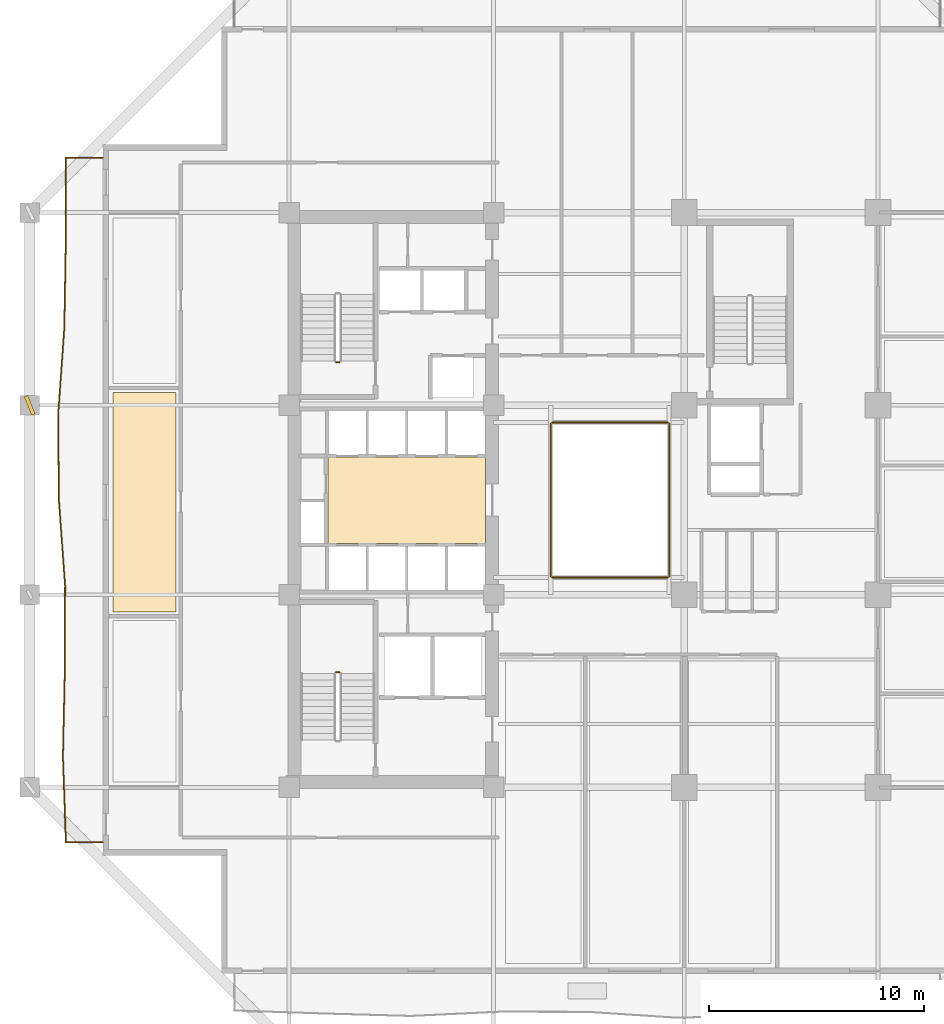
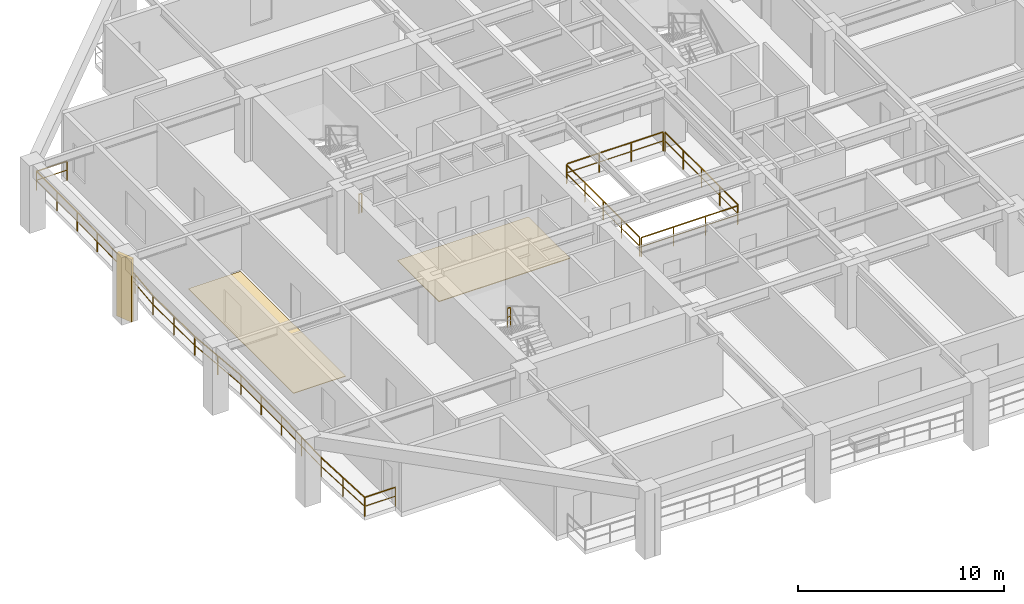
# One storey, part 9 of 13: 7 railings, 2 coverings, 1 shading device.
"""IFC4 building model written with IfcOpenShell, lengths in metres."""

from ifc_helpers import new_model, si_unit, direction, frame, origin, origin_2d, place, context, subcontext, project, spatial, polyline, rectangle, outline, extrude, material, layer, layer_set, type_object, element, save


model = new_model("IFC4")

# Units and contexts
model_context = context("Model", 3, precision=1e-05, world=origin(), true_north=direction((0.0, 1.0)))
body_context = subcontext(model_context, "Body", "Model", "MODEL_VIEW")
ifc_project = project(units=[si_unit("LENGTHUNIT", "METRE"), si_unit("AREAUNIT", "SQUARE_METRE"), si_unit("VOLUMEUNIT", "CUBIC_METRE"), si_unit("PLANEANGLEUNIT", "RADIAN"), si_unit("MASSUNIT", "GRAM", prefix="KILO")], contexts=[model_context])

# Site, building, storey
site_placement = place(None, origin())
site = spatial("IfcSite", under=ifc_project, at=site_placement, CompositionType="ELEMENT")
building_placement = place(site_placement, origin())
building = spatial("IfcBuilding", under=site, at=building_placement, Name="Kundavana Baori Tower", CompositionType="ELEMENT")
storey_placement = place(building_placement, frame((0.0, 0.0, 50.0)))
storey = spatial("IfcBuildingStorey", under=building, at=storey_placement, Name="L11", CompositionType="ELEMENT", Elevation=50.0)

# Coverings
ifc_material_1 = material(Name="Honed Kota Stone and Terrazzo Flooring", Category="masonry")
ifc_layer_1 = layer(ifc_material_1, 0.0400390625, Name="COV-FLR-TERR-40")
ifc_layer_set_1 = layer_set([ifc_layer_1], Name="Honed Kota Stone and Terrazzo Flooring")
covering_type_1 = type_object("IfcCoveringType", Name="COV-FLR-TERR-40", PredefinedType="FLOORING", material=ifc_layer_set_1)
covering_1_placement = place(storey_placement, origin())
element("IfcCovering", 1, at=covering_1_placement, inside=storey, type_object=covering_type_1, Name="L11 Core Lift Lobby Kota Stone Flooring", PredefinedType="FLOORING", context=body_context, shape_type="SweptSolid", body=[
    extrude(outline(polyline([(17.25, 26.580078125), (24.580078125, 26.580078125), (24.580078125, 30.60009765625), (17.25, 30.60009765625), (17.25, 26.580078125)])), origin(), (0.0, 0.0, 1.0), 0.0400390625),
])
ifc_material_2 = material(Name="Honed Kota Stone and Terrazzo Flooring", Category="masonry")
ifc_layer_2 = layer(ifc_material_2, 0.030029296875, Name="COV-INT-FLR")
ifc_layer_set_2 = layer_set([ifc_layer_2], Name="Honed Kota Stone and Terrazzo Flooring")
covering_type_2 = type_object("IfcCoveringType", Name="COV-INT-FLR", PredefinedType="FLOORING", material=ifc_layer_set_2)
covering_2_placement = place(storey_placement, origin())
element("IfcCovering", 2, at=covering_2_placement, inside=storey, type_object=covering_type_2, Name="L11 Room Finished Stone Flooring 2", PredefinedType="FLOORING", context=body_context, shape_type="SweptSolid", body=[
    extrude(outline(polyline([(7.280029296875, 23.39990234375), (10.199951171875, 23.39990234375), (10.199951171875, 33.60009765625), (7.280029296875, 33.60009765625), (7.280029296875, 23.39990234375)])), origin(), (0.0, 0.0, 1.0), 0.030029296875),
])

# Railings
ifc_material_3 = material(Name="Architectural Patinated Bronze Metalwork")
railing_type_1 = type_object("IfcRailingType", Name="RL-BAL-1150", PredefinedType="BALUSTRADE", material=ifc_material_3)
railing_1_placement = place(storey_placement, frame((6.800048828125, 12.699951171875, 0.0)))
element("IfcRailing", 3, at=railing_1_placement, inside=storey, type_object=railing_type_1, Name="L11 Loggia Balcony Balustrade W", PredefinedType="BALUSTRADE", context=body_context, shape_type="SweptSolid", body=[
    extrude(rectangle(XDim=0.048095703125, YDim=0.048095703125, at=origin_2d()), frame((0.0, 0.0, 1.1259765625), z_axis=(-1.0, 0.0, 0.0), x_axis=(0.0, -1.0, 0.0)), (0.0, 0.0, 1.0), 1.719970703125),
    extrude(rectangle(XDim=0.03125, YDim=0.03125, at=origin_2d()), frame((0.0, 0.0, 0.597900390625), z_axis=(-1.0, 0.0, 0.0), x_axis=(0.0, -1.0, 0.0)), (0.0, 0.0, 1.0), 1.719970703125),
    extrude(rectangle(XDim=0.048095703125, YDim=0.048095703125, at=origin_2d()), frame((-1.719970703125, 0.0, 1.1259765625), z_axis=(-0.035231767765, 0.999379168554, 0.0), x_axis=(-0.999379168554, -0.035231767765, 0.0)), (0.0, 0.0, 1.0), 3.9775390625),
    extrude(rectangle(XDim=0.03125, YDim=0.03125, at=origin_2d()), frame((-1.719970703125, 0.0, 0.597900390625), z_axis=(-0.035231767765, 0.999379168554, 0.0), x_axis=(-0.999379168554, -0.035231767765, 0.0)), (0.0, 0.0, 1.0), 3.9775390625),
    extrude(rectangle(XDim=0.048095703125, YDim=0.048095703125, at=origin_2d()), frame((-1.860107421875, 3.97509765625, 1.1259765625), z_axis=(0.021615242301, 0.999766363357, 0.0), x_axis=(-0.999766363357, 0.021615242301, 0.0)), (0.0, 0.0, 1.0), 3.975830078125),
    extrude(rectangle(XDim=0.03125, YDim=0.03125, at=origin_2d()), frame((-1.860107421875, 3.97509765625, 0.597900390625), z_axis=(0.021615242301, 0.999766363357, 0.0), x_axis=(-0.999766363357, 0.021615242301, 0.0)), (0.0, 0.0, 1.0), 3.975830078125),
    extrude(rectangle(XDim=0.048095703125, YDim=0.048095703125, at=origin_2d()), frame((-1.774169921875, 7.949951171875, 1.1259765625), z_axis=(0.003807858402, 0.999992750081, 0.0), x_axis=(-0.999992750081, 0.003807858402, 0.0)), (0.0, 0.0, 1.0), 3.97509765625),
    extrude(rectangle(XDim=0.03125, YDim=0.03125, at=origin_2d()), frame((-1.774169921875, 7.949951171875, 0.597900390625), z_axis=(0.003807858402, 0.999992750081, 0.0), x_axis=(-0.999992750081, 0.003807858402, 0.0)), (0.0, 0.0, 1.0), 3.97509765625),
    extrude(rectangle(XDim=0.048095703125, YDim=0.048095703125, at=origin_2d()), frame((-1.759033203125, 11.925048828125, 1.1259765625), z_axis=(-0.072526832725, 0.997366461505, 0.0), x_axis=(-0.997366461505, -0.072526832725, 0.0)), (0.0, 0.0, 1.0), 3.985595703125),
    extrude(rectangle(XDim=0.03125, YDim=0.03125, at=origin_2d()), frame((-1.759033203125, 11.925048828125, 0.597900390625), z_axis=(-0.072526832725, 0.997366461505, 0.0), x_axis=(-0.997366461505, -0.072526832725, 0.0)), (0.0, 0.0, 1.0), 3.985595703125),
    extrude(rectangle(XDim=0.048095703125, YDim=0.048095703125, at=origin_2d()), frame((-2.048095703125, 15.900146484375, 1.1259765625), z_axis=(-0.008045928362, 0.999967630995, 0.0), x_axis=(-0.999967630995, -0.008045928362, 0.0)), (0.0, 0.0, 1.0), 3.97509765625),
    extrude(rectangle(XDim=0.03125, YDim=0.03125, at=origin_2d()), frame((-2.048095703125, 15.900146484375, 0.597900390625), z_axis=(-0.008045928362, 0.999967630995, 0.0), x_axis=(-0.999967630995, -0.008045928362, 0.0)), (0.0, 0.0, 1.0), 3.97509765625),
    extrude(rectangle(XDim=0.048095703125, YDim=0.048095703125, at=origin_2d()), frame((-2.080078125, 19.875, 1.1259765625), z_axis=(0.070759420793, 0.99749341069, 0.0), x_axis=(-0.99749341069, 0.070759420793, 0.0)), (0.0, 0.0, 1.0), 3.985107421875),
    extrude(rectangle(XDim=0.03125, YDim=0.03125, at=origin_2d()), frame((-2.080078125, 19.875, 0.597900390625), z_axis=(0.070759420793, 0.99749341069, 0.0), x_axis=(-0.99749341069, 0.070759420793, 0.0)), (0.0, 0.0, 1.0), 3.985107421875),
    extrude(rectangle(XDim=0.048095703125, YDim=0.048095703125, at=origin_2d()), frame((-1.798095703125, 23.85009765625, 1.1259765625), z_axis=(0.017625171595, 0.999844664599, 0.0), x_axis=(-0.999844664599, 0.017625171595, 0.0)), (0.0, 0.0, 1.0), 3.9755859375),
    extrude(rectangle(XDim=0.03125, YDim=0.03125, at=origin_2d()), frame((-1.798095703125, 23.85009765625, 0.597900390625), z_axis=(0.017625171595, 0.999844664599, 0.0), x_axis=(-0.999844664599, 0.017625171595, 0.0)), (0.0, 0.0, 1.0), 3.9755859375),
    extrude(rectangle(XDim=0.048095703125, YDim=0.048095703125, at=origin_2d()), frame((-1.72802734375, 27.824951171875, 1.1259765625), z_axis=(0.002026773874, 0.999997946092, 0.0), x_axis=(-0.999997946092, 0.002026773874, 0.0)), (0.0, 0.0, 1.0), 3.97509765625),
    extrude(rectangle(XDim=0.03125, YDim=0.03125, at=origin_2d()), frame((-1.72802734375, 27.824951171875, 0.597900390625), z_axis=(0.002026773874, 0.999997946092, 0.0), x_axis=(-0.999997946092, 0.002026773874, 0.0)), (0.0, 0.0, 1.0), 3.97509765625),
    extrude(rectangle(XDim=0.048095703125, YDim=0.048095703125, at=origin_2d()), frame((-1.719970703125, 31.800048828125, 1.1259765625), z_axis=(1.0, 0.0, 0.0), x_axis=(0.0, 1.0, 0.0)), (0.0, 0.0, 1.0), 1.719970703125),
    extrude(rectangle(XDim=0.03125, YDim=0.03125, at=origin_2d()), frame((-1.719970703125, 31.800048828125, 0.597900390625), z_axis=(1.0, 0.0, 0.0), x_axis=(0.0, 1.0, 0.0)), (0.0, 0.0, 1.0), 1.719970703125),
    extrude(rectangle(XDim=0.0419921875, YDim=0.0419921875, at=origin_2d()), origin(), (0.0, 0.0, 1.0), 1.101806640625),
    extrude(rectangle(XDim=0.0419921875, YDim=0.0419921875, at=origin_2d()), frame((-1.719970703125, 0.0, 0.0)), (0.0, 0.0, 1.0), 1.101806640625),
    extrude(rectangle(XDim=0.0419921875, YDim=0.0419921875, at=origin_2d()), frame((-1.7900390625, 1.987548828125, 0.0)), (0.0, 0.0, 1.0), 1.101806640625),
    extrude(rectangle(XDim=0.0419921875, YDim=0.0419921875, at=origin_2d()), frame((-1.860107421875, 3.97509765625, 0.0)), (0.0, 0.0, 1.0), 1.101806640625),
    extrude(rectangle(XDim=0.0419921875, YDim=0.0419921875, at=origin_2d()), frame((-1.817138671875, 5.96240234375, 0.0)), (0.0, 0.0, 1.0), 1.101806640625),
    extrude(rectangle(XDim=0.0419921875, YDim=0.0419921875, at=origin_2d()), frame((-1.774169921875, 7.949951171875, 0.0)), (0.0, 0.0, 1.0), 1.101806640625),
    extrude(rectangle(XDim=0.0419921875, YDim=0.0419921875, at=origin_2d()), frame((-1.7666015625, 9.9375, 0.0)), (0.0, 0.0, 1.0), 1.101806640625),
    extrude(rectangle(XDim=0.0419921875, YDim=0.0419921875, at=origin_2d()), frame((-1.759033203125, 11.925048828125, 0.0)), (0.0, 0.0, 1.0), 1.101806640625),
    extrude(rectangle(XDim=0.0419921875, YDim=0.0419921875, at=origin_2d()), frame((-1.903564453125, 13.91259765625, 0.0)), (0.0, 0.0, 1.0), 1.101806640625),
    extrude(rectangle(XDim=0.0419921875, YDim=0.0419921875, at=origin_2d()), frame((-2.048095703125, 15.900146484375, 0.0)), (0.0, 0.0, 1.0), 1.101806640625),
    extrude(rectangle(XDim=0.0419921875, YDim=0.0419921875, at=origin_2d()), frame((-2.06396484375, 17.8876953125, 0.0)), (0.0, 0.0, 1.0), 1.101806640625),
    extrude(rectangle(XDim=0.0419921875, YDim=0.0419921875, at=origin_2d()), frame((-2.080078125, 19.875, 0.0)), (0.0, 0.0, 1.0), 1.101806640625),
    extrude(rectangle(XDim=0.0419921875, YDim=0.0419921875, at=origin_2d()), frame((-1.93896484375, 21.862548828125, 0.0)), (0.0, 0.0, 1.0), 1.101806640625),
    extrude(rectangle(XDim=0.0419921875, YDim=0.0419921875, at=origin_2d()), frame((-1.798095703125, 23.85009765625, 0.0)), (0.0, 0.0, 1.0), 1.101806640625),
    extrude(rectangle(XDim=0.0419921875, YDim=0.0419921875, at=origin_2d()), frame((-1.76318359375, 25.83740234375, 0.0)), (0.0, 0.0, 1.0), 1.101806640625),
    extrude(rectangle(XDim=0.0419921875, YDim=0.0419921875, at=origin_2d()), frame((-1.72802734375, 27.824951171875, 0.0)), (0.0, 0.0, 1.0), 1.101806640625),
    extrude(rectangle(XDim=0.0419921875, YDim=0.0419921875, at=origin_2d()), frame((-1.72412109375, 29.8125, 0.0)), (0.0, 0.0, 1.0), 1.101806640625),
    extrude(rectangle(XDim=0.0419921875, YDim=0.0419921875, at=origin_2d()), frame((-1.719970703125, 31.800048828125, 0.0)), (0.0, 0.0, 1.0), 1.101806640625),
    extrude(rectangle(XDim=0.0419921875, YDim=0.0419921875, at=origin_2d()), frame((0.0, 31.800048828125, 0.0)), (0.0, 0.0, 1.0), 1.101806640625),
])
ifc_material_4 = material(Name="Architectural Patinated Bronze Metalwork")
railing_type_2 = type_object("IfcRailingType", Name="RL-GRD-1150", PredefinedType="GUARDRAIL", material=ifc_material_4)
for number, where, name in (
    (4, (17.7900390625, 20.60009765625, 2.0), "L11 ST1 stair guard 2"),
    (5, (17.7900390625, 35.0, 0.0), "L11 ST2 stair guard 4"),
):
    element("IfcRailing", number, at=place(storey_placement, frame(where)), inside=storey, type_object=railing_type_2, Name=name, PredefinedType="GUARDRAIL", context=body_context, shape_type="SweptSolid", body=[
        extrude(rectangle(XDim=0.048095703125, YDim=0.048095703125, at=origin_2d()), frame((0.0, 0.0, 1.1259765625), z_axis=(-1.0, 0.0, 0.0), x_axis=(0.0, -1.0, 0.0)), (0.0, 0.0, 1.0), 0.16015625),
        extrude(rectangle(XDim=0.03125, YDim=0.03125, at=origin_2d()), frame((0.0, 0.0, 0.597900390625), z_axis=(-1.0, 0.0, 0.0), x_axis=(0.0, -1.0, 0.0)), (0.0, 0.0, 1.0), 0.16015625),
        extrude(rectangle(XDim=0.0419921875, YDim=0.0419921875, at=origin_2d()), origin(), (0.0, 0.0, 1.0), 1.101806640625),
        extrude(rectangle(XDim=0.0419921875, YDim=0.0419921875, at=origin_2d()), frame((-0.16015625, 0.0, 0.0)), (0.0, 0.0, 1.0), 1.101806640625),
    ])
railing_2_placement = place(storey_placement, frame((27.659912109375, 25.0, 0.0)))
element("IfcRailing", 6, at=railing_2_placement, inside=storey, type_object=railing_type_2, Name="L11 Atrium Void Perimeter Guardrail S", PredefinedType="GUARDRAIL", context=body_context, shape_type="SweptSolid", body=[
    extrude(rectangle(XDim=0.048095703125, YDim=0.048095703125, at=origin_2d()), frame((0.0, 0.0, 1.1259765625), z_axis=(1.0, 0.0, 0.0), x_axis=(0.0, 1.0, 0.0)), (0.0, 0.0, 1.0), 5.380126953125),
    extrude(rectangle(XDim=0.03125, YDim=0.03125, at=origin_2d()), frame((0.0, 0.0, 0.597900390625), z_axis=(1.0, 0.0, 0.0), x_axis=(0.0, 1.0, 0.0)), (0.0, 0.0, 1.0), 5.380126953125),
    extrude(rectangle(XDim=0.0419921875, YDim=0.0419921875, at=origin_2d()), origin(), (0.0, 0.0, 1.0), 1.101806640625),
    extrude(rectangle(XDim=0.0419921875, YDim=0.0419921875, at=origin_2d()), frame((1.79345703125, 0.0, 0.0)), (0.0, 0.0, 1.0), 1.101806640625),
    extrude(rectangle(XDim=0.0419921875, YDim=0.0419921875, at=origin_2d()), frame((3.586669921875, 0.0, 0.0)), (0.0, 0.0, 1.0), 1.101806640625),
    extrude(rectangle(XDim=0.0419921875, YDim=0.0419921875, at=origin_2d()), frame((5.380126953125, 0.0, 0.0)), (0.0, 0.0, 1.0), 1.101806640625),
])
railing_3_placement = place(storey_placement, frame((33.10009765625, 25.06005859375, 0.0)))
element("IfcRailing", 7, at=railing_3_placement, inside=storey, type_object=railing_type_2, Name="L11 Atrium Void Perimeter Guardrail E", PredefinedType="GUARDRAIL", context=body_context, shape_type="SweptSolid", body=[
    extrude(rectangle(XDim=0.048095703125, YDim=0.048095703125, at=origin_2d()), frame((0.0, 0.0, 1.1259765625), z_axis=(0.0, 1.0, 0.0), x_axis=(-1.0, 0.0, 0.0)), (0.0, 0.0, 1.0), 7.079833984375),
    extrude(rectangle(XDim=0.03125, YDim=0.03125, at=origin_2d()), frame((0.0, 0.0, 0.597900390625), z_axis=(0.0, 1.0, 0.0), x_axis=(-1.0, 0.0, 0.0)), (0.0, 0.0, 1.0), 7.079833984375),
    extrude(rectangle(XDim=0.0419921875, YDim=0.0419921875, at=origin_2d()), origin(), (0.0, 0.0, 1.0), 1.101806640625),
    extrude(rectangle(XDim=0.0419921875, YDim=0.0419921875, at=origin_2d()), frame((0.0, 1.77001953125, 0.0)), (0.0, 0.0, 1.0), 1.101806640625),
    extrude(rectangle(XDim=0.0419921875, YDim=0.0419921875, at=origin_2d()), frame((0.0, 3.5400390625, 0.0)), (0.0, 0.0, 1.0), 1.101806640625),
    extrude(rectangle(XDim=0.0419921875, YDim=0.0419921875, at=origin_2d()), frame((0.0, 5.309814453125, 0.0)), (0.0, 0.0, 1.0), 1.101806640625),
    extrude(rectangle(XDim=0.0419921875, YDim=0.0419921875, at=origin_2d()), frame((0.0, 7.079833984375, 0.0)), (0.0, 0.0, 1.0), 1.101806640625),
])
railing_4_placement = place(storey_placement, frame((33.0400390625, 32.199951171875, 0.0)))
element("IfcRailing", 8, at=railing_4_placement, inside=storey, type_object=railing_type_2, Name="L11 Atrium Void Perimeter Guardrail N", PredefinedType="GUARDRAIL", context=body_context, shape_type="SweptSolid", body=[
    extrude(rectangle(XDim=0.048095703125, YDim=0.048095703125, at=origin_2d()), frame((0.0, 0.0, 1.1259765625), z_axis=(-1.0, 0.0, 0.0), x_axis=(0.0, -1.0, 0.0)), (0.0, 0.0, 1.0), 5.380126953125),
    extrude(rectangle(XDim=0.03125, YDim=0.03125, at=origin_2d()), frame((0.0, 0.0, 0.597900390625), z_axis=(-1.0, 0.0, 0.0), x_axis=(0.0, -1.0, 0.0)), (0.0, 0.0, 1.0), 5.380126953125),
    extrude(rectangle(XDim=0.0419921875, YDim=0.0419921875, at=origin_2d()), origin(), (0.0, 0.0, 1.0), 1.101806640625),
    extrude(rectangle(XDim=0.0419921875, YDim=0.0419921875, at=origin_2d()), frame((-1.79345703125, 0.0, 0.0)), (0.0, 0.0, 1.0), 1.101806640625),
    extrude(rectangle(XDim=0.0419921875, YDim=0.0419921875, at=origin_2d()), frame((-3.586669921875, 0.0, 0.0)), (0.0, 0.0, 1.0), 1.101806640625),
    extrude(rectangle(XDim=0.0419921875, YDim=0.0419921875, at=origin_2d()), frame((-5.380126953125, 0.0, 0.0)), (0.0, 0.0, 1.0), 1.101806640625),
])
railing_5_placement = place(storey_placement, frame((27.60009765625, 32.139892578125, 0.0)))
element("IfcRailing", 9, at=railing_5_placement, inside=storey, type_object=railing_type_2, Name="L11 Atrium Void Perimeter Guardrail W", PredefinedType="GUARDRAIL", context=body_context, shape_type="SweptSolid", body=[
    extrude(rectangle(XDim=0.048095703125, YDim=0.048095703125, at=origin_2d()), frame((0.0, 0.0, 1.1259765625), z_axis=(0.0, -1.0, 0.0), x_axis=(1.0, 0.0, 0.0)), (0.0, 0.0, 1.0), 7.079833984375),
    extrude(rectangle(XDim=0.03125, YDim=0.03125, at=origin_2d()), frame((0.0, 0.0, 0.597900390625), z_axis=(0.0, -1.0, 0.0), x_axis=(1.0, 0.0, 0.0)), (0.0, 0.0, 1.0), 7.079833984375),
    extrude(rectangle(XDim=0.0419921875, YDim=0.0419921875, at=origin_2d()), origin(), (0.0, 0.0, 1.0), 1.101806640625),
    extrude(rectangle(XDim=0.0419921875, YDim=0.0419921875, at=origin_2d()), frame((0.0, -1.77001953125, 0.0)), (0.0, 0.0, 1.0), 1.101806640625),
    extrude(rectangle(XDim=0.0419921875, YDim=0.0419921875, at=origin_2d()), frame((0.0, -3.5400390625, 0.0)), (0.0, 0.0, 1.0), 1.101806640625),
    extrude(rectangle(XDim=0.0419921875, YDim=0.0419921875, at=origin_2d()), frame((0.0, -5.309814453125, 0.0)), (0.0, 0.0, 1.0), 1.101806640625),
    extrude(rectangle(XDim=0.0419921875, YDim=0.0419921875, at=origin_2d()), frame((0.0, -7.079833984375, 0.0)), (0.0, 0.0, 1.0), 1.101806640625),
])

# Shading device
ifc_material_5 = material(Name="Red-Buff Dholpur Sandstone Cladding on Concrete C40/50", Category="masonry")
shading_device_type = type_object("IfcShadingDeviceType", Name="SHD-FIN-920", PredefinedType="JALOUSIE", material=ifc_material_5)
shading_device_placement = place(storey_placement, frame((3.39990234375, 33.0, 0.0), z_axis=(0.0, 0.0, 1.0), x_axis=(0.926462953239, 0.376385967161, 0.0)))
element("IfcShadingDevice", 10, at=shading_device_placement, inside=storey, type_object=shading_device_type, Name="L11 Sweeping Dholpur Sandstone Facade Fin 7", PredefinedType="JALOUSIE", context=body_context, shape_type="SweptSolid", body=[
    extrude(rectangle(XDim=0.179931640625, YDim=0.919921875, at=origin_2d()), origin(), (0.0, 0.0, 1.0), 3.719970703125),
])

save(model, "model.ifc")
